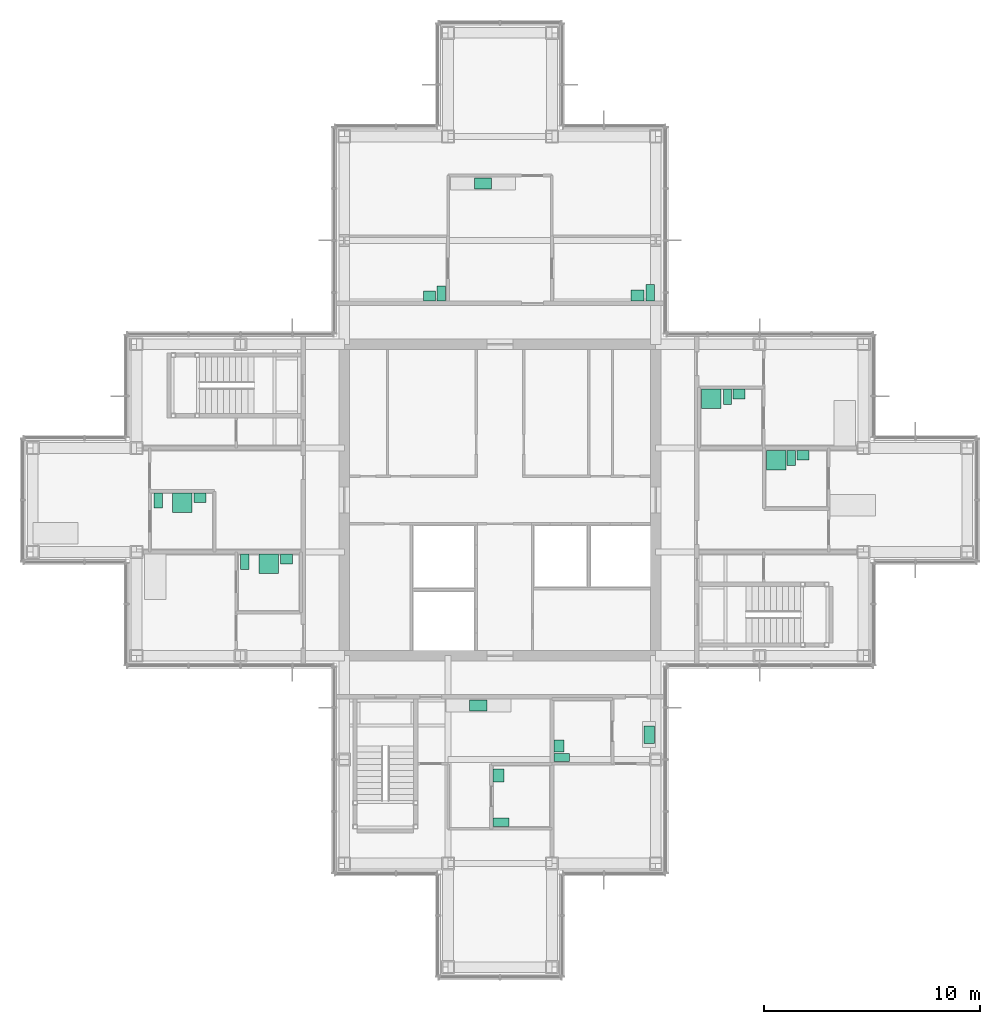
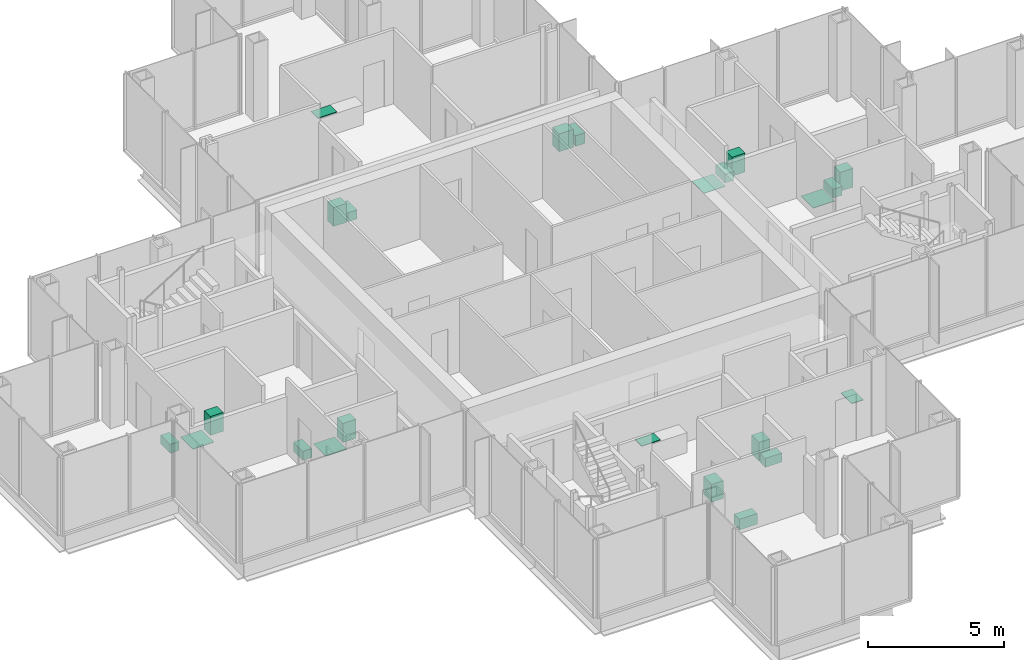
# One storey, part 16 of 17: 23 sanitary terminals.
"""IFC4 building model written with IfcOpenShell, lengths in metres."""

from ifc_helpers import new_model, si_unit, direction, frame, origin, origin_2d, place, context, subcontext, project, spatial, rectangle, extrude, material, type_object, element, save


model = new_model("IFC4")

# Units and contexts
model_context = context("Model", 3, precision=1e-05, world=origin(), true_north=direction((0.0, 1.0)))
body_context = subcontext(model_context, "Body", "Model", "MODEL_VIEW")
ifc_project = project(units=[si_unit("LENGTHUNIT", "METRE"), si_unit("AREAUNIT", "SQUARE_METRE"), si_unit("VOLUMEUNIT", "CUBIC_METRE"), si_unit("PLANEANGLEUNIT", "RADIAN"), si_unit("MASSUNIT", "GRAM", prefix="KILO")], contexts=[model_context])

# Site, building, storey
site_placement = place(None, origin())
site = spatial("IfcSite", under=ifc_project, at=site_placement, CompositionType="ELEMENT")
building_placement = place(site_placement, origin())
building = spatial("IfcBuilding", under=site, at=building_placement, Name="Kvirike Care Tower", CompositionType="ELEMENT")
storey_placement = place(building_placement, frame((0.0, 0.0, 158.5)))
storey = spatial("IfcBuildingStorey", under=building, at=storey_placement, Name="L43", CompositionType="ELEMENT", Elevation=158.5)

# Sanitary terminals
ifc_material_1 = material(Name="Vitreous china", Category="ceramic")
sanitary_terminal_type_1 = type_object("IfcSanitaryTerminalType", Name="ACCESSIBLE WASH BASIN 600 x 500", PredefinedType="WASHHANDBASIN", material=ifc_material_1)
for number, where, z_axis, x_axis, name in (
    (1, (21.527099609375, 23.260009765625, 0.02001953125), (0.0, 0.0, 1.0), (0.0, 1.0, 0.0), "Accessible wash basin L43-014"),
    (2, (27.949951171875, 45.451904296875, 0.02001953125), (0.0, 0.0, 1.0), (-1.0, 0.0, 0.0), "Accessible wash basin L43-021"),
):
    element("IfcSanitaryTerminal", number, at=place(storey_placement, frame(where, z_axis=z_axis, x_axis=x_axis)), inside=storey, type_object=sanitary_terminal_type_1, Name=name, PredefinedType="WASHHANDBASIN", context=body_context, shape_type="SweptSolid", body=[
        extrude(rectangle(XDim=0.60009765625, YDim=0.5, at=origin_2d()), origin(), (0.0, 0.0, 1.0), 0.800048828125),
    ])
ifc_material_2 = material(Name="Vitreous china", Category="ceramic")
sanitary_terminal_type_2 = type_object("IfcSanitaryTerminalType", Name="ACCESSIBLE WC PAN 400 x 750", PredefinedType="TOILETPAN", material=ifc_material_2)
for number, where, z_axis, x_axis, name in (
    (3, (21.652099609375, 21.110107421875, 0.02001953125), (0.0, 0.0, 1.0), (0.0, 1.0, 0.0), "Accessible WC pan L43-014"),
    (4, (28.550048828125, 45.576904296875, 0.02001953125), (0.0, 0.0, 1.0), (-1.0, 0.0, 0.0), "Accessible WC pan L43-021"),
):
    element("IfcSanitaryTerminal", number, at=place(storey_placement, frame(where, z_axis=z_axis, x_axis=x_axis)), inside=storey, type_object=sanitary_terminal_type_2, Name=name, PredefinedType="TOILETPAN", context=body_context, shape_type="SweptSolid", body=[
        extrude(rectangle(XDim=0.39990234375, YDim=0.75, at=origin_2d()), origin(), (0.0, 0.0, 1.0), 0.47998046875),
    ])
ifc_material_3 = material(Name="Stainless steel", Category="steel")
sanitary_terminal_type_3 = type_object("IfcSanitaryTerminalType", Name="KITCHEN SINK 800 x 500", PredefinedType="SINK", material=ifc_material_3)
for number, where, z_axis, x_axis, name in (
    (5, (20.60009765625, 26.498046875, 0.89990234375), (0.0, 0.0, 1.0), (1.0, 0.0, 0.0), "Kitchen sink L43-015"),
    (6, (28.498046875, 25.14990234375, 0.89990234375), (0.0, 0.0, 1.0), (0.0, -1.0, 0.0), "Kitchen sink L43-018"),
    (7, (20.81005859375, 50.637939453125, 0.89990234375), (0.0, 0.0, 1.0), (1.0, 0.0, 0.0), "Kitchen sink L43-023"),
):
    element("IfcSanitaryTerminal", number, at=place(storey_placement, frame(where, z_axis=z_axis, x_axis=x_axis)), inside=storey, type_object=sanitary_terminal_type_3, Name=name, PredefinedType="SINK", context=body_context, shape_type="SweptSolid", body=[
        extrude(rectangle(XDim=0.800048828125, YDim=0.5, at=origin_2d()), origin(), (0.0, 0.0, 1.0), 0.030029296875),
    ])
ifc_material_4 = material(Name="Stainless steel", Category="steel")
sanitary_terminal_type_4 = type_object("IfcSanitaryTerminalType", Name="LEVEL-ACCESS SHOWER 900 x 900", PredefinedType="SHOWER", material=ifc_material_4)
for number, where, z_axis, x_axis, name in (
    (8, (6.909912109375, 35.873046875, 0.02001953125), (0.0, 0.0, 1.0), (1.0, 0.0, 0.0), "Level-access shower L43-006"),
    (9, (10.909912109375, 33.048095703125, 0.02001953125), (0.0, 0.0, 1.0), (1.0, 0.0, 0.0), "Level-access shower L43-009"),
    (10, (34.375, 37.847900390625, 0.02001953125), (0.0, 0.0, 1.0), (1.0, 0.0, 0.0), "Level-access shower L43-029"),
    (11, (31.375, 40.673095703125, 0.02001953125), (0.0, 0.0, 1.0), (1.0, 0.0, 0.0), "Level-access shower L43-032"),
):
    element("IfcSanitaryTerminal", number, at=place(storey_placement, frame(where, z_axis=z_axis, x_axis=x_axis)), inside=storey, type_object=sanitary_terminal_type_4, Name=name, PredefinedType="SHOWER", context=body_context, shape_type="SweptSolid", body=[
        extrude(rectangle(XDim=0.89990234375, YDim=0.89990234375, at=origin_2d()), origin(), (0.0, 0.0, 1.0), 0.02001953125),
    ])
ifc_material_5 = material(Name="Vitreous china", Category="ceramic")
sanitary_terminal_type_5 = type_object("IfcSanitaryTerminalType", Name="WASH BASIN 550 x 450", PredefinedType="WASHHANDBASIN", material=ifc_material_5)
for number, where, z_axis, x_axis, name in (
    (12, (7.735107421875, 36.097900390625, 0.02001953125), (0.0, 0.0, 1.0), (1.0, 0.0, 0.0), "Wash basin L43-006"),
    (13, (11.735107421875, 33.27294921875, 0.02001953125), (0.0, 0.0, 1.0), (1.0, 0.0, 0.0), "Wash basin L43-009"),
    (14, (24.326904296875, 24.635009765625, 0.02001953125), (0.0, 0.0, 1.0), (0.0, 1.0, 0.0), "Wash basin L43-017"),
    (15, (18.35009765625, 45.427001953125, 0.02001953125), (0.0, 0.0, 1.0), (-1.0, 0.0, 0.0), "Wash basin L43-022"),
    (16, (35.60009765625, 38.072998046875, 0.02001953125), (0.0, 0.0, 1.0), (1.0, 0.0, 0.0), "Wash basin L43-029"),
    (17, (32.64990234375, 40.89794921875, 0.02001953125), (0.0, 0.0, 1.0), (1.0, 0.0, 0.0), "Wash basin L43-032"),
):
    element("IfcSanitaryTerminal", number, at=place(storey_placement, frame(where, z_axis=z_axis, x_axis=x_axis)), inside=storey, type_object=sanitary_terminal_type_5, Name=name, PredefinedType="WASHHANDBASIN", context=body_context, shape_type="SweptSolid", body=[
        extrude(rectangle(XDim=0.550048828125, YDim=0.449951171875, at=origin_2d()), origin(), (0.0, 0.0, 1.0), 0.85009765625),
    ])
ifc_material_6 = material(Name="Vitreous china", Category="ceramic")
sanitary_terminal_type_6 = type_object("IfcSanitaryTerminalType", Name="WC PAN 380 x 700", PredefinedType="TOILETPAN", material=ifc_material_6)
for number, where, z_axis, x_axis, name in (
    (18, (5.800048828125, 35.972900390625, 0.02001953125), (0.0, 0.0, 1.0), (1.0, 0.0, 0.0), "WC pan L43-006"),
    (19, (9.800048828125, 33.14794921875, 0.02001953125), (0.0, 0.0, 1.0), (1.0, 0.0, 0.0), "WC pan L43-009"),
    (20, (24.451904296875, 24.10009765625, 0.02001953125), (0.0, 0.0, 1.0), (0.0, 1.0, 0.0), "WC pan L43-017"),
    (21, (18.885009765625, 45.552001953125, 0.02001953125), (0.0, 0.0, 1.0), (-1.0, 0.0, 0.0), "WC pan L43-022"),
    (22, (35.06494140625, 37.947998046875, 0.02001953125), (0.0, 0.0, 1.0), (1.0, 0.0, 0.0), "WC pan L43-029"),
    (23, (32.114990234375, 40.77294921875, 0.02001953125), (0.0, 0.0, 1.0), (1.0, 0.0, 0.0), "WC pan L43-032"),
):
    element("IfcSanitaryTerminal", number, at=place(storey_placement, frame(where, z_axis=z_axis, x_axis=x_axis)), inside=storey, type_object=sanitary_terminal_type_6, Name=name, PredefinedType="TOILETPAN", context=body_context, shape_type="SweptSolid", body=[
        extrude(rectangle(XDim=0.3798828125, YDim=0.699951171875, at=origin_2d()), origin(), (0.0, 0.0, 1.0), 0.39990234375),
    ])

save(model, "model.ifc")
